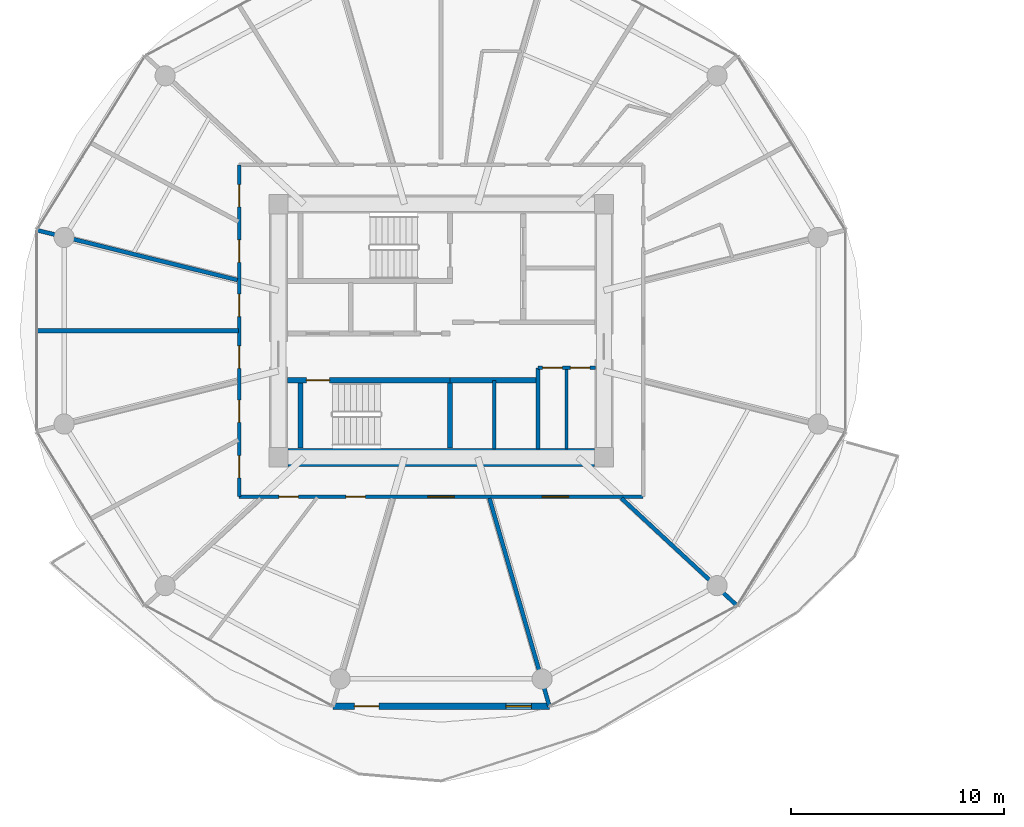
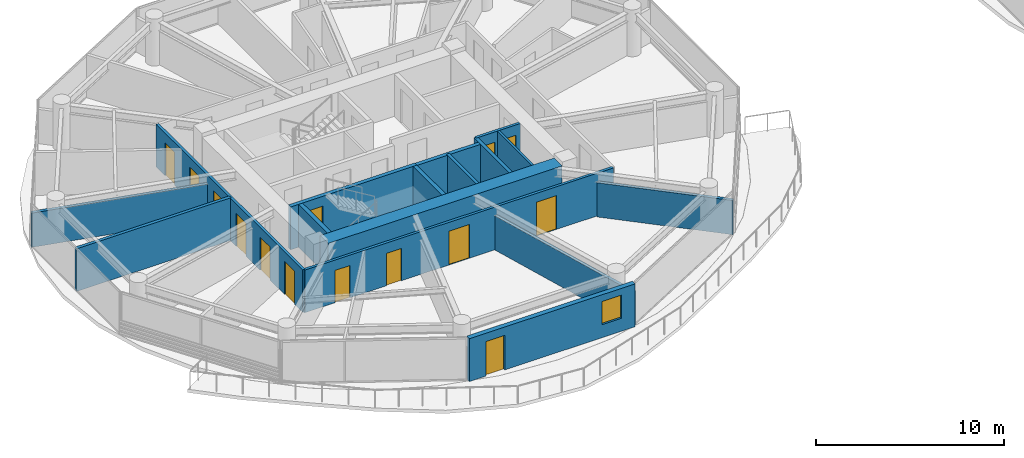
# One storey, part 15 of 26: 16 walls, 14 doors, 1 window, 15 openings.
"""IFC4 building model written with IfcOpenShell, lengths in metres."""

from ifc_helpers import new_model, si_unit, direction, frame, frame_2d, origin, place, context, subcontext, project, spatial, rectangle, extrude, source, transform, mapped, material, layer, layer_set, type_object, type_shapes, element, fill, save


model = new_model("IFC4")

# Units and contexts
model_context = context("Model", 3, precision=1e-05, world=origin(), true_north=direction((0.0, 1.0)))
body_context = subcontext(model_context, "Body", "Model", "MODEL_VIEW")
ifc_project = project(units=[si_unit("LENGTHUNIT", "METRE"), si_unit("AREAUNIT", "SQUARE_METRE"), si_unit("VOLUMEUNIT", "CUBIC_METRE"), si_unit("PLANEANGLEUNIT", "RADIAN"), si_unit("MASSUNIT", "GRAM", prefix="KILO")], contexts=[model_context])

# Site, building, storey
site_placement = place(None, origin())
site = spatial("IfcSite", under=ifc_project, at=site_placement, CompositionType="ELEMENT")
building_placement = place(site_placement, origin())
building = spatial("IfcBuilding", under=site, at=building_placement, Name="Norrkilde Senior Care Towers", CompositionType="ELEMENT")
storey_placement = place(building_placement, frame((0.0, 0.0, 49.050048828125)))
storey = spatial("IfcBuildingStorey", under=building, at=storey_placement, Name="L14", CompositionType="ELEMENT", Elevation=49.050048828125)

# Wall
ifc_material_1 = material(Name="Concrete C60/75", Category="concrete")
ifc_layer_1 = layer(ifc_material_1, 0.85009765625)
ifc_layer_set_1 = layer_set([ifc_layer_1], Name="Concrete C60/75")
wall_type_1 = type_object("IfcWallType", Name="Core Shear Wall Z1 850", PredefinedType="SHEAR", material=ifc_layer_set_1)
shared_shape_1 = source(origin(), body_context, "Body", "SweptSolid", [
    extrude(rectangle(XDim=14.39990234375, YDim=0.85009765625, at=frame_2d((7.199951171875, 0.0))), origin(), (0.0, 0.0, 1.0), 2.7900390625),
])
type_shapes(wall_type_1, [shared_shape_1])
wall_1_placement = place(storey_placement, frame((-20.800048828125, -5.949951171875, 0.0), z_axis=(0.0, 0.0, 1.0), x_axis=(-1.0, 0.0, 0.0)))
element("IfcWall", 1, at=wall_1_placement, inside=storey, type_object=wall_type_1, Name="L14 Core W South Shear Wall", PredefinedType="SHEAR", context=body_context, shape_type="MappedRepresentation", body=[
    mapped(shared_shape_1, transform((0.0, 0.0, 0.0), x_axis=(1.0, 0.0, 0.0), y_axis=(0.0, 1.0, 0.0), z_axis=(0.0, 0.0, 1.0), scale=1.0)),
])

# Wall, openings, door, window
ifc_material_2 = material(Name="Precast concrete C45/55", Category="concrete")
ifc_layer_2 = layer(ifc_material_2, 0.2900390625)
ifc_layer_set_2 = layer_set([ifc_layer_2], Name="Precast concrete C45/55")
wall_type_2 = type_object("IfcWallType", Name="Winter Garden Facade Wall 290", PredefinedType="SOLIDWALL", material=ifc_layer_set_2)
shared_shape_2 = source(origin(), body_context, "Body", "SweptSolid", [
    extrude(rectangle(XDim=10.18701171875, YDim=0.2900390625, at=frame_2d((5.093505859375, 0.0))), origin(), (0.0, 0.0, 1.0), 2.7900390625),
])
type_shapes(wall_type_2, [shared_shape_2])
wall_2_placement = place(storey_placement, frame((-22.906494140625, -17.6572265625, 0.0), z_axis=(0.0, 0.0, 1.0), x_axis=(-1.0, 0.0, 0.0)))
wall_2 = element("IfcWall", 2, at=wall_2_placement, inside=storey, type_object=wall_type_2, Name="L14 Drum W Balcony Access Wall 08", PredefinedType="SOLIDWALL", context=body_context, shape_type="MappedRepresentation", body=[
    mapped(shared_shape_2, transform((0.0, 0.0, 0.0), x_axis=(1.0, 0.0, 0.0), y_axis=(0.0, 1.0, 0.0), z_axis=(0.0, 0.0, 1.0), scale=1.0)),
])
opening_1_placement = place(wall_2_placement, frame((8.02001953125, 0.0, 0.0)))
opening_1 = element("IfcOpeningElement", 3, at=opening_1_placement, cuts=wall_2, Name="Opening D-09", PredefinedType="OPENING", context=body_context, shape_type="SweptSolid", body=[
    extrude(rectangle(XDim=1.14990234375, YDim=2.25, at=frame_2d((0.574951171875, 1.125))), frame((0.0, 0.155029296875, 0.0), z_axis=(0.0, -1.0, 0.0), x_axis=(1.0, 0.0, 0.0)), (0.0, 0.0, 1.0), 0.31005859375),
])
opening_2_placement = place(wall_2_placement, frame((0.85009765625, 0.0, 0.85009765625)))
opening_2 = element("IfcOpeningElement", 4, at=opening_2_placement, cuts=wall_2, Name="Opening WN-07", PredefinedType="OPENING", context=body_context, shape_type="SweptSolid", body=[
    extrude(rectangle(XDim=1.199951171875, YDim=1.5, at=frame_2d((0.60009765625, 0.75))), frame((0.0, 0.155029296875, 0.0), z_axis=(0.0, -1.0, 0.0), x_axis=(1.0, 0.0, 0.0)), (0.0, 0.0, 1.0), 0.31005859375),
])
ifc_material_3 = material(Name="Anodised Aluminium", Category="aluminium")
door_type_1 = type_object("IfcDoorType", Name="Terrace and Balcony Glazed Door 1150x2250", OperationType="NOTDEFINED", PredefinedType="DOOR", material=ifc_material_3)
shared_shape_3 = source(origin(), body_context, "Body", "SweptSolid", [
    extrude(rectangle(XDim=1.14990234375, YDim=2.25, at=frame_2d((0.574951171875, 1.125))), frame((0.0, 0.02490234375, 0.0), z_axis=(0.0, -1.0, 0.0), x_axis=(1.0, 0.0, 0.0)), (0.0, 0.0, 1.0), 0.050048828125),
])
type_shapes(door_type_1, [shared_shape_3])
door_1_placement = place(opening_1_placement, origin())
door_1 = element("IfcDoor", 5, at=door_1_placement, inside=storey, type_object=door_type_1, Name="L14 Drum W Outdoor Terrace Door 08", OperationType="SINGLE_SWING_LEFT", OverallHeight=2.25, OverallWidth=1.14990234375, PredefinedType="DOOR", context=body_context, shape_type="MappedRepresentation", body=[
    mapped(shared_shape_3, transform((0.0, 0.0, 0.0), x_axis=(1.0, 0.0, 0.0), y_axis=(0.0, 1.0, 0.0), z_axis=(0.0, 0.0, 1.0), scale=1.0)),
])
fill(opening_1, door_1)
ifc_material_4 = material(Name="Triple Low-E Insulated Glazing", Category="glass")
window_type = type_object("IfcWindowType", Name="Stairwell Smoke Vent Window 1200x1500", PartitioningType="SINGLE_PANEL", PredefinedType="WINDOW", material=ifc_material_4)
shared_shape_4 = source(origin(), body_context, "Body", "SweptSolid", [
    extrude(rectangle(XDim=1.199951171875, YDim=1.5, at=frame_2d((0.60009765625, 0.75))), frame((0.0, 0.030029296875, 0.0), z_axis=(0.0, -1.0, 0.0), x_axis=(1.0, 0.0, 0.0)), (0.0, 0.0, 1.0), 0.06005859375),
])
type_shapes(window_type, [shared_shape_4])
window_placement = place(opening_2_placement, origin())
window = element("IfcWindow", 6, at=window_placement, inside=storey, type_object=window_type, Name="L14 Drum W Winter Garden Window 08", OverallHeight=1.5, OverallWidth=1.199951171875, PartitioningType="SINGLE_PANEL", PredefinedType="WINDOW", context=body_context, shape_type="MappedRepresentation", body=[
    mapped(shared_shape_4, transform((0.0, 0.0, 0.0), x_axis=(1.0, 0.0, 0.0), y_axis=(0.0, 1.0, 0.0), z_axis=(0.0, 0.0, 1.0), scale=1.0)),
])
fill(opening_2, window)

# Walls
ifc_material_5 = material(Name="Concrete C45/55", Category="concrete")
ifc_layer_3 = layer(ifc_material_5, 0.199951171875)
ifc_layer_set_3 = layer_set([ifc_layer_3], Name="Concrete C45/55")
wall_type_3 = type_object("IfcWallType", Name="Shaft Division and Plant Partition 200", PredefinedType="PARTITIONING", material=ifc_layer_set_3)
shared_shape_5 = source(origin(), body_context, "Body", "SweptSolid", [
    extrude(rectangle(XDim=3.800048828125, YDim=0.199951171875, at=frame_2d((1.89990234375, 0.0))), origin(), (0.0, 0.0, 1.0), 2.77490234375),
])
type_shapes(wall_type_3, [shared_shape_5])
wall_3_placement = place(storey_placement, frame((-23.449951171875, -5.550048828125, 0.0), z_axis=(0.0, 0.0, 1.0), x_axis=(0.0, 1.0, 0.0)))
element("IfcWall", 7, at=wall_3_placement, inside=storey, type_object=wall_type_3, Name="WL-INT-L14-W-PKBE", PredefinedType="PARTITIONING", context=body_context, shape_type="MappedRepresentation", body=[
    mapped(shared_shape_5, transform((0.0, 0.0, 0.0), x_axis=(1.0, 0.0, 0.0), y_axis=(0.0, 1.0, 0.0), z_axis=(0.0, 0.0, 1.0), scale=1.0)),
])
ifc_layer_4 = layer(ifc_material_5, 0.239990234375)
ifc_layer_set_4 = layer_set([ifc_layer_4], Name="Concrete C45/55")
wall_type_4 = type_object("IfcWallType", Name="Lift and Plant Rated Enclosure Partition 240", PredefinedType="PARTITIONING", material=ifc_layer_set_4)
shared_shape_6 = source(origin(), body_context, "Body", "SweptSolid", [
    extrude(rectangle(XDim=4.130126953125, YDim=0.239990234375, at=frame_2d((2.06494140625, 0.0))), origin(), (0.0, 0.0, 1.0), 2.77490234375),
])
type_shapes(wall_type_4, [shared_shape_6])
wall_4_placement = place(storey_placement, frame((-27.580078125, -2.330078125, 0.0), z_axis=(0.0, 0.0, 1.0), x_axis=(1.0, 0.0, 0.0)))
element("IfcWall", 8, at=wall_4_placement, inside=storey, type_object=wall_type_4, Name="WL-INT-L14-W-PKBN", PredefinedType="PARTITIONING", context=body_context, shape_type="MappedRepresentation", body=[
    mapped(shared_shape_6, transform((0.0, 0.0, 0.0), x_axis=(1.0, 0.0, 0.0), y_axis=(0.0, 1.0, 0.0), z_axis=(0.0, 0.0, 1.0), scale=1.0)),
])
ifc_layer_5 = layer(ifc_material_5, 0.179931640625)
ifc_layer_set_5 = layer_set([ifc_layer_5], Name="Concrete C45/55")
wall_type_5 = type_object("IfcWallType", Name="Hoistway Division Rated Partition 180", PredefinedType="PARTITIONING", material=ifc_layer_set_5)
shared_shape_7 = source(origin(), body_context, "Body", "SweptSolid", [
    extrude(rectangle(XDim=3.219970703125, YDim=0.179931640625, at=frame_2d((1.60986328125, 0.0))), origin(), (0.0, 0.0, 1.0), 2.77490234375),
])
type_shapes(wall_type_5, [shared_shape_7])
wall_5_placement = place(storey_placement, frame((-25.5, -5.550048828125, 0.0), z_axis=(0.0, 0.0, 1.0), x_axis=(0.0, 1.0, 0.0)))
element("IfcWall", 9, at=wall_5_placement, inside=storey, type_object=wall_type_5, Name="WL-INT-L14-W-PL34", PredefinedType="PARTITIONING", context=body_context, shape_type="MappedRepresentation", body=[
    mapped(shared_shape_7, transform((0.0, 0.0, 0.0), x_axis=(1.0, 0.0, 0.0), y_axis=(0.0, 1.0, 0.0), z_axis=(0.0, 0.0, 1.0), scale=1.0)),
])

# Wall, openings, doors
ifc_material_6 = material(Name="Gypsum Acoustic Board")
ifc_layer_6 = layer(ifc_material_6, 0.1650390625)
ifc_layer_set_6 = layer_set([ifc_layer_6], Name="Gypsum Acoustic Board")
wall_type_6 = type_object("IfcWallType", Name="Corridor Rated Partition 165", PredefinedType="PARTITIONING", material=ifc_layer_set_6)
shared_shape_8 = source(origin(), body_context, "Body", "SweptSolid", [
    extrude(rectangle(XDim=2.699951171875, YDim=0.1650390625, at=frame_2d((1.35009765625, 0.0))), origin(), (0.0, 0.0, 1.0), 2.77490234375),
])
wall_6_placement = place(storey_placement, frame((-23.449951171875, -1.75, 0.0), z_axis=(0.0, 0.0, 1.0), x_axis=(1.0, 0.0, 0.0)))
wall_6 = element("IfcWall", 10, at=wall_6_placement, inside=storey, type_object=wall_type_6, Name="WL-INT-L14-W-CSN", PredefinedType="PARTITIONING", context=body_context, shape_type="MappedRepresentation", body=[
    mapped(shared_shape_8, transform((0.0, 0.0, 0.0), x_axis=(1.0, 0.0, 0.0), y_axis=(0.0, 1.0, 0.0), z_axis=(0.0, 0.0, 1.0), scale=1.0)),
])
opening_3_placement = place(wall_6_placement, frame((0.222412109375, 0.0, 0.0)))
opening_3 = element("IfcOpeningElement", 11, at=opening_3_placement, cuts=wall_6, Name="Opening D-12", PredefinedType="OPENING", context=body_context, shape_type="SweptSolid", body=[
    extrude(rectangle(XDim=0.925048828125, YDim=2.10009765625, at=frame_2d((0.46240234375, 1.050048828125))), frame((0.0, 0.092529296875, 0.0), z_axis=(0.0, -1.0, 0.0), x_axis=(1.0, 0.0, 0.0)), (0.0, 0.0, 1.0), 0.18505859375),
])
opening_4_placement = place(wall_6_placement, frame((1.5224609375, 0.0, 0.0)))
opening_4 = element("IfcOpeningElement", 12, at=opening_4_placement, cuts=wall_6, Name="Opening D-12", PredefinedType="OPENING", context=body_context, shape_type="SweptSolid", body=[
    extrude(rectangle(XDim=0.925048828125, YDim=2.10009765625, at=frame_2d((0.46240234375, 1.050048828125))), frame((0.0, 0.092529296875, 0.0), z_axis=(0.0, -1.0, 0.0), x_axis=(1.0, 0.0, 0.0)), (0.0, 0.0, 1.0), 0.18505859375),
])
ifc_material_7 = material(Name="Galvanised Painted Steel", Category="steel")
door_type_2 = type_object("IfcDoorType", Name="Core Wet Room Rated Door 925x2100", OperationType="NOTDEFINED", PredefinedType="DOOR", material=ifc_material_7)
shared_shape_9 = source(origin(), body_context, "Body", "SweptSolid", [
    extrude(rectangle(XDim=0.925048828125, YDim=2.10009765625, at=frame_2d((0.46240234375, 1.050048828125))), frame((0.0, 0.02490234375, 0.0), z_axis=(0.0, -1.0, 0.0), x_axis=(1.0, 0.0, 0.0)), (0.0, 0.0, 1.0), 0.050048828125),
])
type_shapes(door_type_2, [shared_shape_9])
door_2_placement = place(opening_3_placement, origin())
door_2 = element("IfcDoor", 13, at=door_2_placement, inside=storey, type_object=door_type_2, Name="L14 Staff Accessible WC W Door", OperationType="SINGLE_SWING_LEFT", OverallHeight=2.10009765625, OverallWidth=0.925048828125, PredefinedType="DOOR", context=body_context, shape_type="MappedRepresentation", body=[
    mapped(shared_shape_9, transform((0.0, 0.0, 0.0), x_axis=(1.0, 0.0, 0.0), y_axis=(0.0, 1.0, 0.0), z_axis=(0.0, 0.0, 1.0), scale=1.0)),
])
fill(opening_3, door_2)
door_3_placement = place(opening_4_placement, origin())
door_3 = element("IfcDoor", 14, at=door_3_placement, inside=storey, type_object=door_type_2, Name="L14 Housekeeping Store W Door", OperationType="SINGLE_SWING_RIGHT", OverallHeight=2.10009765625, OverallWidth=0.925048828125, PredefinedType="DOOR", context=body_context, shape_type="MappedRepresentation", body=[
    mapped(shared_shape_9, transform((0.0, 0.0, 0.0), x_axis=(1.0, 0.0, 0.0), y_axis=(0.0, 1.0, 0.0), z_axis=(0.0, 0.0, 1.0), scale=1.0)),
])
fill(opening_4, door_3)

shared_shape_10 = source(origin(), body_context, "Body", "SweptSolid", [
    extrude(rectangle(XDim=19.0, YDim=0.1650390625, at=frame_2d((9.5, 0.0))), origin(), (0.0, 0.0, 1.0), 2.77490234375),
])
wall_7_placement = place(storey_placement, frame((-18.5, -7.800048828125, 0.0), z_axis=(0.0, 0.0, 1.0), x_axis=(-1.0, 0.0, 0.0)))
wall_7 = element("IfcWall", 15, at=wall_7_placement, inside=storey, type_object=wall_type_6, Name="WL-INT-L14-W-CRW-S-0", PredefinedType="PARTITIONING", context=body_context, shape_type="MappedRepresentation", body=[
    mapped(shared_shape_10, transform((0.0, 0.0, 0.0), x_axis=(1.0, 0.0, 0.0), y_axis=(0.0, 1.0, 0.0), z_axis=(0.0, 0.0, 1.0), scale=1.0)),
])
opening_5_placement = place(wall_7_placement, frame((16.213623046875, 0.0, 0.0)))
opening_5 = element("IfcOpeningElement", 16, at=opening_5_placement, cuts=wall_7, Name="Opening D-08", PredefinedType="OPENING", context=body_context, shape_type="SweptSolid", body=[
    extrude(rectangle(XDim=0.919921875, YDim=2.10009765625, at=frame_2d((0.4599609375, 1.050048828125))), frame((0.0, 0.092529296875, 0.0), z_axis=(0.0, -1.0, 0.0), x_axis=(1.0, 0.0, 0.0)), (0.0, 0.0, 1.0), 0.18505859375),
])
opening_6_placement = place(wall_7_placement, frame((13.062744140625, 0.0, 0.0)))
opening_6 = element("IfcOpeningElement", 17, at=opening_6_placement, cuts=wall_7, Name="Opening D-08", PredefinedType="OPENING", context=body_context, shape_type="SweptSolid", body=[
    extrude(rectangle(XDim=0.919921875, YDim=2.10009765625, at=frame_2d((0.4599609375, 1.050048828125))), frame((0.0, 0.092529296875, 0.0), z_axis=(0.0, -1.0, 0.0), x_axis=(1.0, 0.0, 0.0)), (0.0, 0.0, 1.0), 0.18505859375),
])
opening_7_placement = place(wall_7_placement, frame((8.875, 0.0, 0.0)))
opening_7 = element("IfcOpeningElement", 18, at=opening_7_placement, cuts=wall_7, Name="Opening D-05", PredefinedType="OPENING", context=body_context, shape_type="SweptSolid", body=[
    extrude(rectangle(XDim=1.25, YDim=2.199951171875, at=frame_2d((0.625, 1.10009765625))), frame((0.0, 0.092529296875, 0.0), z_axis=(0.0, -1.0, 0.0), x_axis=(1.0, 0.0, 0.0)), (0.0, 0.0, 1.0), 0.18505859375),
])
opening_8_placement = place(wall_7_placement, frame((3.505615234375, 0.0, 0.0)))
opening_8 = element("IfcOpeningElement", 19, at=opening_8_placement, cuts=wall_7, Name="Opening D-05", PredefinedType="OPENING", context=body_context, shape_type="SweptSolid", body=[
    extrude(rectangle(XDim=1.25, YDim=2.199951171875, at=frame_2d((0.625, 1.10009765625))), frame((0.0, 0.092529296875, 0.0), z_axis=(0.0, -1.0, 0.0), x_axis=(1.0, 0.0, 0.0)), (0.0, 0.0, 1.0), 0.18505859375),
])
ifc_material_8 = material(Name="Nordic Ash Timber", Category="wood")
door_type_3 = type_object("IfcDoorType", Name="Care Bedroom Bariatric Door 1250x2200", OperationType="NOTDEFINED", PredefinedType="DOOR", material=ifc_material_8)
shared_shape_11 = source(origin(), body_context, "Body", "SweptSolid", [
    extrude(rectangle(XDim=1.25, YDim=2.199951171875, at=frame_2d((0.625, 1.10009765625))), frame((0.0, 0.02490234375, 0.0), z_axis=(0.0, -1.0, 0.0), x_axis=(1.0, 0.0, 0.0)), (0.0, 0.0, 1.0), 0.050048828125),
])
type_shapes(door_type_3, [shared_shape_11])
door_4_placement = place(opening_7_placement, frame((1.25, 0.0, 0.0), z_axis=(0.0, 0.0, 1.0), x_axis=(-1.0, 0.0, 0.0)))
door_4 = element("IfcDoor", 20, at=door_4_placement, inside=storey, type_object=door_type_3, Name="L14 Household Communal Dining Salon Door", OperationType="SINGLE_SWING_LEFT", OverallHeight=2.199951171875, OverallWidth=1.25, PredefinedType="DOOR", context=body_context, shape_type="MappedRepresentation", body=[
    mapped(shared_shape_11, transform((0.0, 0.0, 0.0), x_axis=(1.0, 0.0, 0.0), y_axis=(0.0, 1.0, 0.0), z_axis=(0.0, 0.0, 1.0), scale=1.0)),
])
fill(opening_7, door_4)
door_5_placement = place(opening_8_placement, frame((1.25, 0.0, 0.0), z_axis=(0.0, 0.0, 1.0), x_axis=(-1.0, 0.0, 0.0)))
door_5 = element("IfcDoor", 21, at=door_5_placement, inside=storey, type_object=door_type_3, Name="L14 Care Coordination Charting Office Door", OperationType="SINGLE_SWING_RIGHT", OverallHeight=2.199951171875, OverallWidth=1.25, PredefinedType="DOOR", context=body_context, shape_type="MappedRepresentation", body=[
    mapped(shared_shape_11, transform((0.0, 0.0, 0.0), x_axis=(1.0, 0.0, 0.0), y_axis=(0.0, 1.0, 0.0), z_axis=(0.0, 0.0, 1.0), scale=1.0)),
])
fill(opening_8, door_5)
door_type_4 = type_object("IfcDoorType", Name="Accessible Wet Room Door 920x2100", OperationType="NOTDEFINED", PredefinedType="DOOR", material=ifc_material_8)
shared_shape_12 = source(origin(), body_context, "Body", "SweptSolid", [
    extrude(rectangle(XDim=0.919921875, YDim=2.10009765625, at=frame_2d((0.4599609375, 1.050048828125))), frame((0.0, 0.02490234375, 0.0), z_axis=(0.0, -1.0, 0.0), x_axis=(1.0, 0.0, 0.0)), (0.0, 0.0, 1.0), 0.050048828125),
])
type_shapes(door_type_4, [shared_shape_12])
door_6_placement = place(opening_5_placement, frame((0.919921875, 0.0, 0.0), z_axis=(0.0, 0.0, 1.0), x_axis=(-1.0, 0.0, 0.0)))
door_6 = element("IfcDoor", 22, at=door_6_placement, inside=storey, type_object=door_type_4, Name="L14 Accessible Restroom Door", OperationType="SINGLE_SWING_RIGHT", OverallHeight=2.10009765625, OverallWidth=0.919921875, PredefinedType="DOOR", context=body_context, shape_type="MappedRepresentation", body=[
    mapped(shared_shape_12, transform((0.0, 0.0, 0.0), x_axis=(1.0, 0.0, 0.0), y_axis=(0.0, 1.0, 0.0), z_axis=(0.0, 0.0, 1.0), scale=1.0)),
])
fill(opening_5, door_6)
door_7_placement = place(opening_6_placement, frame((0.919921875, 0.0, 0.0), z_axis=(0.0, 0.0, 1.0), x_axis=(-1.0, 0.0, 0.0)))
door_7 = element("IfcDoor", 23, at=door_7_placement, inside=storey, type_object=door_type_4, Name="L14 Public Restroom Door", OperationType="SINGLE_SWING_LEFT", OverallHeight=2.10009765625, OverallWidth=0.919921875, PredefinedType="DOOR", context=body_context, shape_type="MappedRepresentation", body=[
    mapped(shared_shape_12, transform((0.0, 0.0, 0.0), x_axis=(1.0, 0.0, 0.0), y_axis=(0.0, 1.0, 0.0), z_axis=(0.0, 0.0, 1.0), scale=1.0)),
])
fill(opening_6, door_7)

shared_shape_13 = source(origin(), body_context, "Body", "SweptSolid", [
    extrude(rectangle(XDim=15.60009765625, YDim=0.1650390625, at=frame_2d((7.800048828125, 0.0))), origin(), (0.0, 0.0, 1.0), 2.77490234375),
])
type_shapes(wall_type_6, [shared_shape_8, shared_shape_10, shared_shape_13])
wall_8_placement = place(storey_placement, frame((-37.5, -7.800048828125, 0.0), z_axis=(0.0, 0.0, 1.0), x_axis=(0.0, 1.0, 0.0)))
wall_8 = element("IfcWall", 24, at=wall_8_placement, inside=storey, type_object=wall_type_6, Name="WL-INT-L14-W-CRW-W-0", PredefinedType="PARTITIONING", context=body_context, shape_type="MappedRepresentation", body=[
    mapped(shared_shape_13, transform((0.0, 0.0, 0.0), x_axis=(1.0, 0.0, 0.0), y_axis=(0.0, 1.0, 0.0), z_axis=(0.0, 0.0, 1.0), scale=1.0)),
])
opening_9_placement = place(wall_8_placement, frame((13.623046875, 0.0, 0.0)))
opening_9 = element("IfcOpeningElement", 25, at=opening_9_placement, cuts=wall_8, Name="Opening D-06", PredefinedType="OPENING", context=body_context, shape_type="SweptSolid", body=[
    extrude(rectangle(XDim=1.050048828125, YDim=2.14990234375, at=frame_2d((0.52490234375, 1.074951171875))), frame((0.0, 0.092529296875, 0.0), z_axis=(0.0, -1.0, 0.0), x_axis=(1.0, 0.0, 0.0)), (0.0, 0.0, 1.0), 0.18505859375),
])
opening_10_placement = place(wall_8_placement, frame((11.017578125, 0.0, 0.0)))
opening_10 = element("IfcOpeningElement", 26, at=opening_10_placement, cuts=wall_8, Name="Opening D-06", PredefinedType="OPENING", context=body_context, shape_type="SweptSolid", body=[
    extrude(rectangle(XDim=1.050048828125, YDim=2.14990234375, at=frame_2d((0.52490234375, 1.074951171875))), frame((0.0, 0.092529296875, 0.0), z_axis=(0.0, -1.0, 0.0), x_axis=(1.0, 0.0, 0.0)), (0.0, 0.0, 1.0), 0.18505859375),
])
opening_11_placement = place(wall_8_placement, frame((8.467041015625, 0.0, 0.0)))
opening_11 = element("IfcOpeningElement", 27, at=opening_11_placement, cuts=wall_8, Name="Opening D-06", PredefinedType="OPENING", context=body_context, shape_type="SweptSolid", body=[
    extrude(rectangle(XDim=1.050048828125, YDim=2.14990234375, at=frame_2d((0.52490234375, 1.074951171875))), frame((0.0, 0.092529296875, 0.0), z_axis=(0.0, -1.0, 0.0), x_axis=(1.0, 0.0, 0.0)), (0.0, 0.0, 1.0), 0.18505859375),
])
opening_12_placement = place(wall_8_placement, frame((6.03466796875, 0.0, 0.0)))
opening_12 = element("IfcOpeningElement", 28, at=opening_12_placement, cuts=wall_8, Name="Opening D-06", PredefinedType="OPENING", context=body_context, shape_type="SweptSolid", body=[
    extrude(rectangle(XDim=1.050048828125, YDim=2.14990234375, at=frame_2d((0.52490234375, 1.074951171875))), frame((0.0, 0.092529296875, 0.0), z_axis=(0.0, -1.0, 0.0), x_axis=(1.0, 0.0, 0.0)), (0.0, 0.0, 1.0), 0.18505859375),
])
opening_13_placement = place(wall_8_placement, frame((3.489013671875, 0.0, 0.0)))
opening_13 = element("IfcOpeningElement", 29, at=opening_13_placement, cuts=wall_8, Name="Opening D-06", PredefinedType="OPENING", context=body_context, shape_type="SweptSolid", body=[
    extrude(rectangle(XDim=1.050048828125, YDim=2.14990234375, at=frame_2d((0.52490234375, 1.074951171875))), frame((0.0, 0.092529296875, 0.0), z_axis=(0.0, -1.0, 0.0), x_axis=(1.0, 0.0, 0.0)), (0.0, 0.0, 1.0), 0.18505859375),
])
opening_14_placement = place(wall_8_placement, frame((0.881591796875, 0.0, 0.0)))
opening_14 = element("IfcOpeningElement", 30, at=opening_14_placement, cuts=wall_8, Name="Opening D-06", PredefinedType="OPENING", context=body_context, shape_type="SweptSolid", body=[
    extrude(rectangle(XDim=1.050048828125, YDim=2.14990234375, at=frame_2d((0.52490234375, 1.074951171875))), frame((0.0, 0.092529296875, 0.0), z_axis=(0.0, -1.0, 0.0), x_axis=(1.0, 0.0, 0.0)), (0.0, 0.0, 1.0), 0.18505859375),
])
door_type_5 = type_object("IfcDoorType", Name="Apartment Entrance Fire Door 1050x2150", OperationType="NOTDEFINED", PredefinedType="DOOR", material=ifc_material_8)
shared_shape_14 = source(origin(), body_context, "Body", "SweptSolid", [
    extrude(rectangle(XDim=1.050048828125, YDim=2.14990234375, at=frame_2d((0.52490234375, 1.074951171875))), frame((0.0, 0.02490234375, 0.0), z_axis=(0.0, -1.0, 0.0), x_axis=(1.0, 0.0, 0.0)), (0.0, 0.0, 1.0), 0.050048828125),
])
type_shapes(door_type_5, [shared_shape_14])
door_8_placement = place(opening_9_placement, frame((1.050048828125, 0.0, 0.0), z_axis=(0.0, 0.0, 1.0), x_axis=(-1.0, 0.0, 0.0)))
door_8 = element("IfcDoor", 31, at=door_8_placement, inside=storey, type_object=door_type_5, Name="L14 Physiotherapy Clinic 4A Door", OperationType="SINGLE_SWING_LEFT", OverallHeight=2.14990234375, OverallWidth=1.050048828125, PredefinedType="DOOR", context=body_context, shape_type="MappedRepresentation", body=[
    mapped(shared_shape_14, transform((0.0, 0.0, 0.0), x_axis=(1.0, 0.0, 0.0), y_axis=(0.0, 1.0, 0.0), z_axis=(0.0, 0.0, 1.0), scale=1.0)),
])
fill(opening_9, door_8)
door_9_placement = place(opening_10_placement, frame((1.050048828125, 0.0, 0.0), z_axis=(0.0, 0.0, 1.0), x_axis=(-1.0, 0.0, 0.0)))
door_9 = element("IfcDoor", 32, at=door_9_placement, inside=storey, type_object=door_type_5, Name="L14 Assessment Clinic 4B Door", OperationType="SINGLE_SWING_RIGHT", OverallHeight=2.14990234375, OverallWidth=1.050048828125, PredefinedType="DOOR", context=body_context, shape_type="MappedRepresentation", body=[
    mapped(shared_shape_14, transform((0.0, 0.0, 0.0), x_axis=(1.0, 0.0, 0.0), y_axis=(0.0, 1.0, 0.0), z_axis=(0.0, 0.0, 1.0), scale=1.0)),
])
fill(opening_10, door_9)
door_10_placement = place(opening_11_placement, frame((1.050048828125, 0.0, 0.0), z_axis=(0.0, 0.0, 1.0), x_axis=(-1.0, 0.0, 0.0)))
door_10 = element("IfcDoor", 33, at=door_10_placement, inside=storey, type_object=door_type_5, Name="L14 Physiotherapy Clinic 5A Door", OperationType="SINGLE_SWING_RIGHT", OverallHeight=2.14990234375, OverallWidth=1.050048828125, PredefinedType="DOOR", context=body_context, shape_type="MappedRepresentation", body=[
    mapped(shared_shape_14, transform((0.0, 0.0, 0.0), x_axis=(1.0, 0.0, 0.0), y_axis=(0.0, 1.0, 0.0), z_axis=(0.0, 0.0, 1.0), scale=1.0)),
])
fill(opening_11, door_10)
door_11_placement = place(opening_12_placement, frame((1.050048828125, 0.0, 0.0), z_axis=(0.0, 0.0, 1.0), x_axis=(-1.0, 0.0, 0.0)))
door_11 = element("IfcDoor", 34, at=door_11_placement, inside=storey, type_object=door_type_5, Name="L14 Assessment Clinic 5B Door", OperationType="SINGLE_SWING_LEFT", OverallHeight=2.14990234375, OverallWidth=1.050048828125, PredefinedType="DOOR", context=body_context, shape_type="MappedRepresentation", body=[
    mapped(shared_shape_14, transform((0.0, 0.0, 0.0), x_axis=(1.0, 0.0, 0.0), y_axis=(0.0, 1.0, 0.0), z_axis=(0.0, 0.0, 1.0), scale=1.0)),
])
fill(opening_12, door_11)
door_12_placement = place(opening_13_placement, frame((1.050048828125, 0.0, 0.0), z_axis=(0.0, 0.0, 1.0), x_axis=(-1.0, 0.0, 0.0)))
door_12 = element("IfcDoor", 35, at=door_12_placement, inside=storey, type_object=door_type_5, Name="L14 Physiotherapy Clinic 6A Door", OperationType="SINGLE_SWING_LEFT", OverallHeight=2.14990234375, OverallWidth=1.050048828125, PredefinedType="DOOR", context=body_context, shape_type="MappedRepresentation", body=[
    mapped(shared_shape_14, transform((0.0, 0.0, 0.0), x_axis=(1.0, 0.0, 0.0), y_axis=(0.0, 1.0, 0.0), z_axis=(0.0, 0.0, 1.0), scale=1.0)),
])
fill(opening_13, door_12)
door_13_placement = place(opening_14_placement, frame((1.050048828125, 0.0, 0.0), z_axis=(0.0, 0.0, 1.0), x_axis=(-1.0, 0.0, 0.0)))
door_13 = element("IfcDoor", 36, at=door_13_placement, inside=storey, type_object=door_type_5, Name="L14 Assessment Clinic 6B Door", OperationType="SINGLE_SWING_RIGHT", OverallHeight=2.14990234375, OverallWidth=1.050048828125, PredefinedType="DOOR", context=body_context, shape_type="MappedRepresentation", body=[
    mapped(shared_shape_14, transform((0.0, 0.0, 0.0), x_axis=(1.0, 0.0, 0.0), y_axis=(0.0, 1.0, 0.0), z_axis=(0.0, 0.0, 1.0), scale=1.0)),
])
fill(opening_14, door_13)

# Walls
ifc_layer_7 = layer(ifc_material_6, 0.18994140625)
ifc_layer_set_7 = layer_set([ifc_layer_7], Name="Gypsum Acoustic Board")
wall_type_7 = type_object("IfcWallType", Name="Unit Demising Acoustic Wall 190", PredefinedType="PARTITIONING", material=ifc_layer_set_7)
shared_shape_15 = source(origin(), body_context, "Body", "SweptSolid", [
    extrude(rectangle(XDim=7.4345703125, YDim=0.18994140625, at=frame_2d((3.71728515625, 0.0))), origin(), (0.0, 0.0, 1.0), 2.224853515625),
])
wall_9_placement = place(storey_placement, frame((-19.51708984375, -7.8798828125, 0.0), z_axis=(0.0, 0.0, 1.0), x_axis=(0.732651956848, -0.680603489652, 0.0)))
element("IfcWall", 37, at=wall_9_placement, inside=storey, type_object=wall_type_7, Name="WL-INT-L14-W-DEM-10-0", PredefinedType="PARTITIONING", context=body_context, shape_type="MappedRepresentation", body=[
    mapped(shared_shape_15, transform((0.0, 0.0, 0.0), x_axis=(1.0, 0.0, 0.0), y_axis=(0.0, 1.0, 0.0), z_axis=(0.0, 0.0, 1.0), scale=1.0)),
])
shared_shape_16 = source(origin(), body_context, "Body", "SweptSolid", [
    extrude(rectangle(XDim=10.196044921875, YDim=0.18994140625, at=frame_2d((5.09814453125, 0.0))), origin(), (0.0, 0.0, 1.0), 2.224853515625),
])
wall_10_placement = place(storey_placement, frame((-25.72705078125, -7.8798828125, 0.0), z_axis=(0.0, 0.0, 1.0), x_axis=(0.277136420347, -0.960830580549, 0.0)))
element("IfcWall", 38, at=wall_10_placement, inside=storey, type_object=wall_type_7, Name="WL-INT-L14-W-DEM-09-0", PredefinedType="PARTITIONING", context=body_context, shape_type="MappedRepresentation", body=[
    mapped(shared_shape_16, transform((0.0, 0.0, 0.0), x_axis=(1.0, 0.0, 0.0), y_axis=(0.0, 1.0, 0.0), z_axis=(0.0, 0.0, 1.0), scale=1.0)),
])
shared_shape_17 = source(origin(), body_context, "Body", "SweptSolid", [
    extrude(rectangle(XDim=9.737060546875, YDim=0.18994140625, at=frame_2d((4.86865234375, 0.0))), origin(), (0.0, 0.0, 1.0), 2.224853515625),
])
wall_11_placement = place(storey_placement, frame((-37.580078125, 2.384521484375, 0.0), z_axis=(0.0, 0.0, 1.0), x_axis=(-0.970392716238, 0.241532557375, 0.0)))
element("IfcWall", 39, at=wall_11_placement, inside=storey, type_object=wall_type_7, Name="WL-INT-L14-W-DEM-05-0", PredefinedType="PARTITIONING", context=body_context, shape_type="MappedRepresentation", body=[
    mapped(shared_shape_17, transform((0.0, 0.0, 0.0), x_axis=(1.0, 0.0, 0.0), y_axis=(0.0, 1.0, 0.0), z_axis=(0.0, 0.0, 1.0), scale=1.0)),
])

# Wall, opening, door
ifc_layer_8 = layer(ifc_material_5, 0.239990234375)
ifc_layer_set_8 = layer_set([ifc_layer_8], Name="Concrete C45/55")
wall_type_8 = type_object("IfcWallType", Name="Shaft and Stair Enclosure Wall 240", PredefinedType="PARTITIONING", material=ifc_layer_set_8)
shared_shape_18 = source(origin(), body_context, "Body", "SweptSolid", [
    extrude(rectangle(XDim=7.76513671875, YDim=0.239990234375, at=frame_2d((3.882568359375, 0.0))), origin(), (0.0, 0.0, 1.0), 2.7900390625),
])
wall_12_placement = place(storey_placement, frame((-35.22509765625, -2.330078125, 0.0), z_axis=(0.0, 0.0, 1.0), x_axis=(1.0, 0.0, 0.0)))
wall_12 = element("IfcWall", 40, at=wall_12_placement, inside=storey, type_object=wall_type_8, Name="WL-INT-L14-W-ST2N", PredefinedType="PARTITIONING", context=body_context, shape_type="MappedRepresentation", body=[
    mapped(shared_shape_18, transform((0.0, 0.0, 0.0), x_axis=(1.0, 0.0, 0.0), y_axis=(0.0, 1.0, 0.0), z_axis=(0.0, 0.0, 1.0), scale=1.0)),
])
opening_15_placement = place(wall_12_placement, frame((0.885009765625, 0.0, 0.0)))
opening_15 = element("IfcOpeningElement", 41, at=opening_15_placement, cuts=wall_12, Name="Opening D-03", PredefinedType="OPENING", context=body_context, shape_type="SweptSolid", body=[
    extrude(rectangle(XDim=1.10009765625, YDim=2.14990234375, at=frame_2d((0.550048828125, 1.074951171875))), frame((0.0, 0.1298828125, 0.0), z_axis=(0.0, -1.0, 0.0), x_axis=(1.0, 0.0, 0.0)), (0.0, 0.0, 1.0), 0.260009765625),
])
door_type_6 = type_object("IfcDoorType", Name="Stairwell Protected Fire Door 1100x2150", OperationType="NOTDEFINED", PredefinedType="DOOR", material=ifc_material_7)
shared_shape_19 = source(origin(), body_context, "Body", "SweptSolid", [
    extrude(rectangle(XDim=1.10009765625, YDim=2.14990234375, at=frame_2d((0.550048828125, 1.074951171875))), frame((0.0, 0.02490234375, 0.0), z_axis=(0.0, -1.0, 0.0), x_axis=(1.0, 0.0, 0.0)), (0.0, 0.0, 1.0), 0.050048828125),
])
type_shapes(door_type_6, [shared_shape_19])
door_14_placement = place(opening_15_placement, frame((1.10009765625, 0.0, 0.0), z_axis=(0.0, 0.0, 1.0), x_axis=(-1.0, 0.0, 0.0)))
door_14 = element("IfcDoor", 42, at=door_14_placement, inside=storey, type_object=door_type_6, Name="L14 Stair W2 Fire Door", OperationType="SINGLE_SWING_RIGHT", OverallHeight=2.14990234375, OverallWidth=1.10009765625, PredefinedType="DOOR", context=body_context, shape_type="MappedRepresentation", body=[
    mapped(shared_shape_19, transform((0.0, 0.0, 0.0), x_axis=(1.0, 0.0, 0.0), y_axis=(0.0, 1.0, 0.0), z_axis=(0.0, 0.0, 1.0), scale=1.0)),
])
fill(opening_15, door_14)

# Walls
shared_shape_20 = source(origin(), body_context, "Body", "SweptSolid", [
    extrude(rectangle(XDim=3.074951171875, YDim=0.239990234375, at=frame_2d((1.53759765625, 0.0))), origin(), (0.0, 0.0, 1.0), 2.7900390625),
])
type_shapes(wall_type_8, [shared_shape_18, shared_shape_20])
for number, where, z_axis, x_axis, name in (
    (43, (-34.6201171875, -5.52490234375, 0.0), (0.0, 0.0, 1.0), (0.0, 1.0, 0.0), "WL-INT-L14-W-ST2W"),
    (44, (-27.580078125, -5.52490234375, 0.0), (0.0, 0.0, 1.0), (0.0, 1.0, 0.0), "WL-INT-L14-W-ST2E"),
):
    element("IfcWall", number, at=place(storey_placement, frame(where, z_axis=z_axis, x_axis=x_axis)), inside=storey, type_object=wall_type_8, Name=name, PredefinedType="PARTITIONING", context=body_context, shape_type="MappedRepresentation", body=[
        mapped(shared_shape_20, transform((0.0, 0.0, 0.0), x_axis=(1.0, 0.0, 0.0), y_axis=(0.0, 1.0, 0.0), z_axis=(0.0, 0.0, 1.0), scale=1.0)),
    ])
ifc_layer_9 = layer(ifc_material_6, 0.139892578125)
ifc_layer_set_9 = layer_set([ifc_layer_9], Name="Gypsum Acoustic Board")
wall_type_9 = type_object("IfcWallType", Name="En-suite Wet Room Wall 140", PredefinedType="PARTITIONING", material=ifc_layer_set_9)
shared_shape_21 = source(origin(), body_context, "Body", "SweptSolid", [
    extrude(rectangle(XDim=3.800048828125, YDim=0.139892578125, at=frame_2d((1.89990234375, 0.0))), origin(), (0.0, 0.0, 1.0), 2.77490234375),
])
type_shapes(wall_type_9, [shared_shape_21])
wall_13_placement = place(storey_placement, frame((-22.10009765625, -5.550048828125, 0.0), z_axis=(0.0, 0.0, 1.0), x_axis=(0.0, 1.0, 0.0)))
element("IfcWall", 45, at=wall_13_placement, inside=storey, type_object=wall_type_9, Name="WL-INT-L14-W-CS1V", PredefinedType="PARTITIONING", context=body_context, shape_type="MappedRepresentation", body=[
    mapped(shared_shape_21, transform((0.0, 0.0, 0.0), x_axis=(1.0, 0.0, 0.0), y_axis=(0.0, 1.0, 0.0), z_axis=(0.0, 0.0, 1.0), scale=1.0)),
])
shared_shape_22 = source(origin(), body_context, "Body", "SweptSolid", [
    extrude(rectangle(XDim=9.498779296875, YDim=0.18994140625, at=frame_2d((4.74951171875, 0.0))), origin(), (0.0, 0.0, 1.0), 2.77490234375),
])
type_shapes(wall_type_7, [shared_shape_15, shared_shape_16, shared_shape_17, shared_shape_22])
wall_14_placement = place(storey_placement, frame((-37.530029296875, 0.0, 0.0), z_axis=(0.0, 0.0, 1.0), x_axis=(-1.0, 0.0, 0.0)))
element("IfcWall", 46, at=wall_14_placement, inside=storey, type_object=wall_type_7, Name="WL-INT-L14-W-MID-05", PredefinedType="PARTITIONING", context=body_context, shape_type="MappedRepresentation", body=[
    mapped(shared_shape_22, transform((0.0, 0.0, 0.0), x_axis=(1.0, 0.0, 0.0), y_axis=(0.0, 1.0, 0.0), z_axis=(0.0, 0.0, 1.0), scale=1.0)),
])

save(model, "model.ifc")
